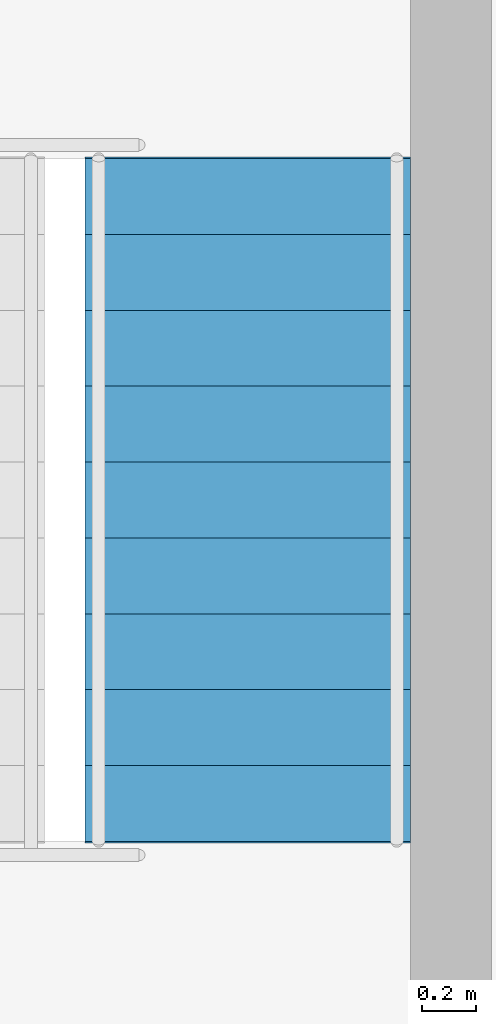
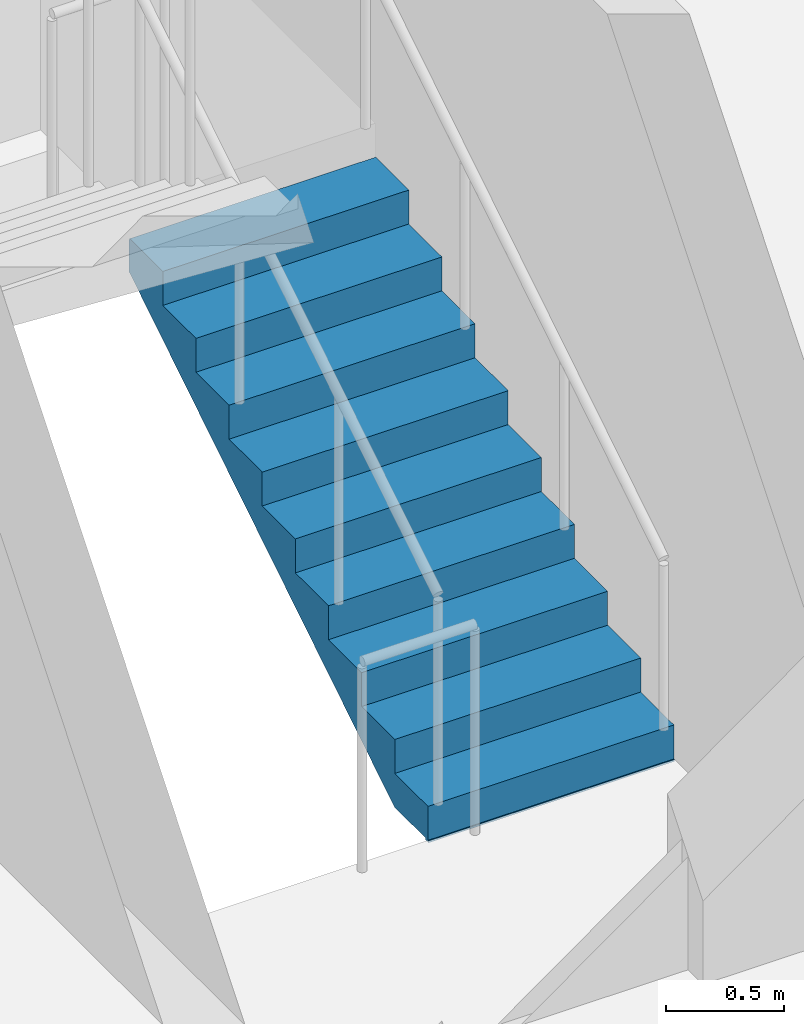
# One storey, part 14 of 17: 1 stair flight, 1 element without a shape of its own.
"""IFC4 building model written with IfcOpenShell, lengths in metres."""

from ifc_helpers import new_model, si_unit, direction, frame, origin, place, context, subcontext, project, spatial, polyline, outline, extrude, material, type_object, element, aggregate, save


model = new_model("IFC4")

# Units and contexts
model_context = context("Model", 3, precision=1e-05, world=origin(), true_north=direction((0.0, 1.0)))
body_context = subcontext(model_context, "Body", "Model", "MODEL_VIEW")
ifc_project = project(units=[si_unit("LENGTHUNIT", "METRE"), si_unit("AREAUNIT", "SQUARE_METRE"), si_unit("VOLUMEUNIT", "CUBIC_METRE"), si_unit("PLANEANGLEUNIT", "RADIAN"), si_unit("MASSUNIT", "GRAM", prefix="KILO")], contexts=[model_context])

# Site, building, storey
site_placement = place(None, origin())
site = spatial("IfcSite", under=ifc_project, at=site_placement, CompositionType="ELEMENT")
building_placement = place(site_placement, origin())
building = spatial("IfcBuilding", under=site, at=building_placement, Name="Plateau Cross Towers", CompositionType="ELEMENT")
storey_placement = place(building_placement, frame((0.0, 0.0, 146.39990234375)))
storey = spatial("IfcBuildingStorey", under=building, at=storey_placement, Name="L37", CompositionType="ELEMENT", Elevation=146.39990234375)

# Stair, stair flight
ifc_material = material(Name="Concrete C40/50", Category="concrete")
stair_type = type_object("IfcStairType", Name="ST-TWR", PredefinedType="HALF_TURN_STAIR", material=ifc_material)
stair_placement = place(storey_placement, origin())
stair = element("IfcStair", 1, at=stair_placement, inside=storey, type_object=stair_type, Name="L37 Protected Exit Stair N", PredefinedType="HALF_TURN_STAIR")
stair_flight_type = type_object("IfcStairFlightType", Name="SFL-RC", PredefinedType="STRAIGHT", material=ifc_material)
stair_flight_placement = place(storey_placement, frame((9.675048828125, 46.5, 0.0), z_axis=(0.0, 0.0, 1.0), x_axis=(0.0, 1.0, 0.0)))
stair_flight = element("IfcStairFlight", 2, at=stair_flight_placement, type_object=stair_flight_type, Name="ES-N flight 1", NumberOfRisers=10, NumberOfTreads=9, PredefinedType="STRAIGHT", RiserHeight=0.175, TreadLength=0.28, context=body_context, shape_type="SweptSolid", body=[
    extrude(outline(polyline([(-0.0048828125, -0.010009765625), (-0.0048828125, 0.0), (0.0, 0.0), (0.0, 0.175048828125), (0.280029296875, 0.175048828125), (0.280029296875, 0.35009765625), (0.56005859375, 0.35009765625), (0.56005859375, 0.52490234375), (0.840087890625, 0.52490234375), (0.840087890625, 0.699951171875), (1.1201171875, 0.699951171875), (1.1201171875, 0.875), (1.39990234375, 0.875), (1.39990234375, 1.050048828125), (1.679931640625, 1.050048828125), (1.679931640625, 1.22509765625), (1.9599609375, 1.22509765625), (1.9599609375, 1.39990234375), (2.239990234375, 1.39990234375), (2.239990234375, 1.574951171875), (2.52001953125, 1.574951171875), (2.52490234375, 1.56494140625), (2.52490234375, 1.398193359375), (2.52001953125, 1.398193359375), (0.28271484375, 0.0), (0.02001953125, 0.0), (0.02001953125, -0.010009765625), (-0.0048828125, -0.010009765625)])), frame((0.0, 0.60009765625, 0.0), z_axis=(0.0, -1.0, 0.0), x_axis=(1.0, 0.0, 0.0)), (0.0, 0.0, 1.0), 1.199951171875),
])
aggregate(stair, [stair_flight])

save(model, "model.ifc")
